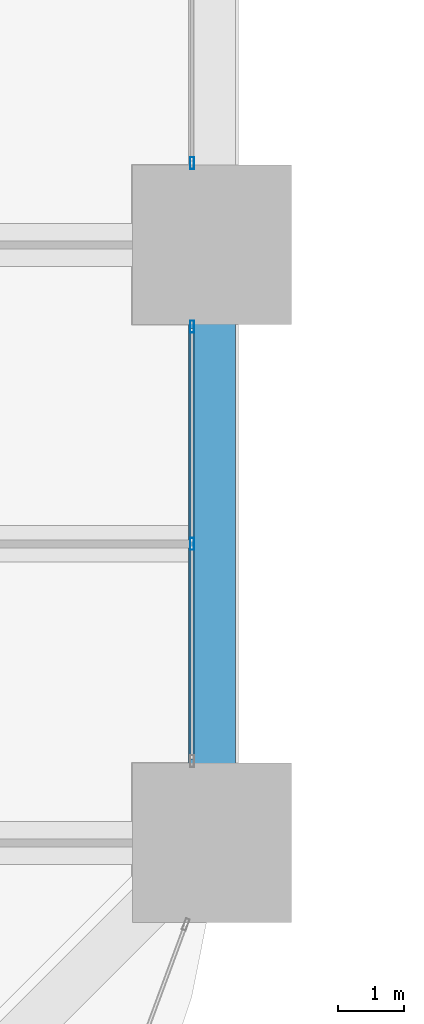
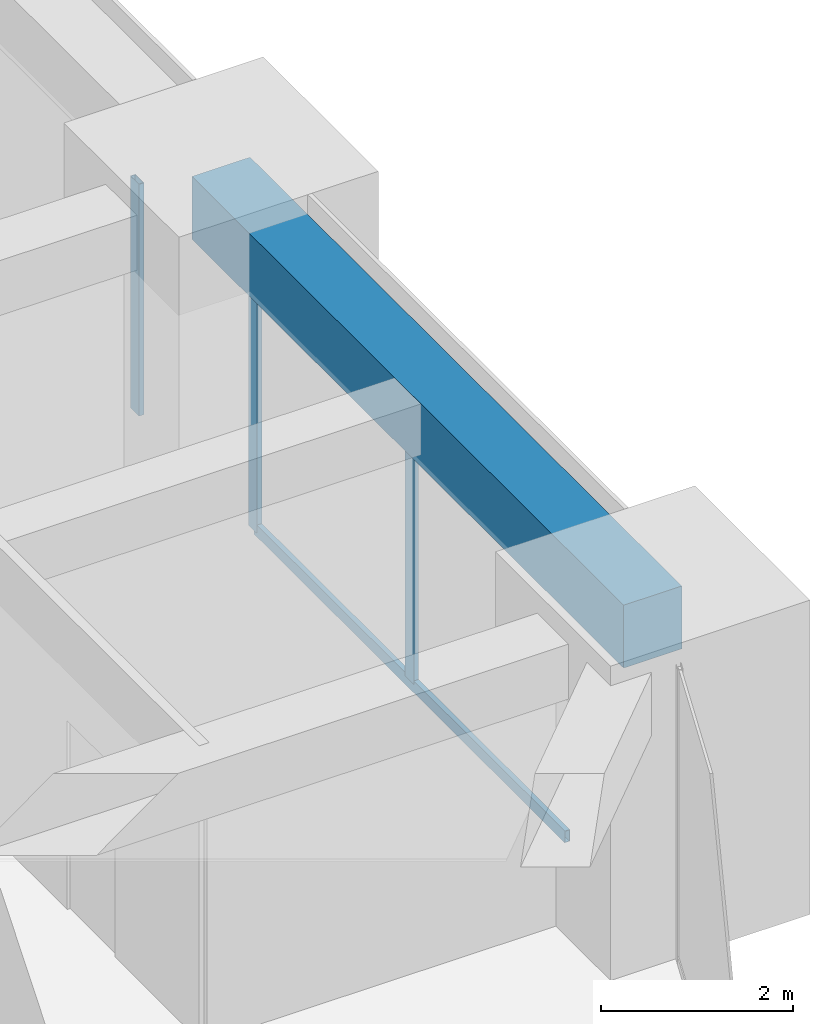
# One storey, part 27 of 39: 4 members, 1 beam, 2 elements without a shape of their own.
"""IFC4 building model written with IfcOpenShell, lengths in metres."""

from ifc_helpers import new_model, si_unit, direction, frame, origin, origin_2d, place, context, subcontext, project, spatial, rectangle, hollow_rectangle, extrude, material, material_profile, profile_set, type_object, element, aggregate, save


model = new_model("IFC4")

# Units and contexts
model_context = context("Model", 3, precision=1e-05, world=origin(), true_north=direction((0.0, 1.0)))
body_context = subcontext(model_context, "Body", "Model", "MODEL_VIEW")
ifc_project = project(units=[si_unit("LENGTHUNIT", "METRE"), si_unit("AREAUNIT", "SQUARE_METRE"), si_unit("VOLUMEUNIT", "CUBIC_METRE"), si_unit("PLANEANGLEUNIT", "RADIAN"), si_unit("MASSUNIT", "GRAM", prefix="KILO")], contexts=[model_context])

# Site, building, storey
site_placement = place(None, origin())
site = spatial("IfcSite", under=ifc_project, at=site_placement, CompositionType="ELEMENT")
building_placement = place(site_placement, origin())
building = spatial("IfcBuilding", under=site, at=building_placement, Name="Zorevar Civic Tower", CompositionType="ELEMENT")
storey_placement = place(building_placement, frame((0.0, 0.0, 19.800048828125)))
storey = spatial("IfcBuildingStorey", under=building, at=storey_placement, Name="L04", CompositionType="ELEMENT", Elevation=19.800048828125)

# Curtain wall, members
ifc_material_1 = material(Name="Dark grey solar-control glass in black aluminium frame", Category="aluminium")
curtain_wall_type = type_object("IfcCurtainWallType", Name="Curtain wall CW2 low zone", PredefinedType="NOTDEFINED", material=ifc_material_1)
curtain_wall_1_placement = place(storey_placement, origin())
curtain_wall_1 = element("IfcCurtainWall", 1, at=curtain_wall_1_placement, inside=storey, type_object=curtain_wall_type, Name="CW2 L04", PredefinedType="NOTDEFINED")
ifc_material_2 = material(Name="Aluminium, black anodised", Category="aluminium")
ifc_material_profile_1 = material_profile(ifc_material_2, hollow_rectangle(XDim=0.06005859375, YDim=0.179931640625, WallThickness=0.00390625, at=origin_2d()), Name="AL 180x60x4")
ifc_profile_set_1 = profile_set([ifc_material_profile_1], Name="Aluminium, black anodised")
member_type_1 = type_object("IfcMemberType", Name="CW2 mullion AL 180x60x4", PredefinedType="MULLION", material=ifc_profile_set_1)
member_1_placement = place(storey_placement, frame((62.699951171875, 13.5, 0.06005859375), z_axis=(0.0, 0.0, 1.0), x_axis=(-1.0, 0.0, 0.0)))
member_1 = element("IfcMember", 2, at=member_1_placement, type_object=member_type_1, Name="CW2 mullion 2", PredefinedType="MULLION", context=body_context, shape_type="SweptSolid", body=[
    extrude(hollow_rectangle(XDim=0.06005859375, YDim=0.179931640625, WallThickness=0.00390625, at=origin_2d()), origin(), (0.0, 0.0, 1.0), 2.889892578125),
])
member_2_placement = place(storey_placement, frame((62.699951171875, 16.77001953125, 0.0), z_axis=(0.0, 0.0, 1.0), x_axis=(-1.0, 0.0, 0.0)))
member_2 = element("IfcMember", 3, at=member_2_placement, type_object=member_type_1, Name="CW2 mullion 3", PredefinedType="MULLION", context=body_context, shape_type="SweptSolid", body=[
    extrude(hollow_rectangle(XDim=0.06005859375, YDim=0.179931640625, WallThickness=0.00390625, at=origin_2d()), origin(), (0.0, 0.0, 1.0), 2.949951171875),
])

# Curtain wall, member
curtain_wall_2_placement = place(storey_placement, origin())
curtain_wall_2 = element("IfcCurtainWall", 4, at=curtain_wall_2_placement, inside=storey, type_object=curtain_wall_type, Name="CW2 L04", PredefinedType="NOTDEFINED")
member_3_placement = place(storey_placement, frame((62.699951171875, 19.22998046875, 0.0), z_axis=(0.0, 0.0, 1.0), x_axis=(-1.0, 0.0, 0.0)))
member_3 = element("IfcMember", 5, at=member_3_placement, type_object=member_type_1, Name="CW2 mullion 1", PredefinedType="MULLION", context=body_context, shape_type="SweptSolid", body=[
    extrude(hollow_rectangle(XDim=0.06005859375, YDim=0.179931640625, WallThickness=0.00390625, at=origin_2d()), origin(), (0.0, 0.0, 1.0), 2.949951171875),
])
aggregate(curtain_wall_2, [member_3])

# Member
ifc_material_3 = material(Name="Aluminium, black anodised", Category="aluminium")
ifc_material_profile_2 = material_profile(ifc_material_3, hollow_rectangle(XDim=0.06005859375, YDim=0.14990234375, WallThickness=0.00390625, at=origin_2d()), Name="AL 150x60x4")
ifc_profile_set_2 = profile_set([ifc_material_profile_2], Name="Aluminium, black anodised")
member_type_2 = type_object("IfcMemberType", Name="CW2 transom AL 150x60x4", PredefinedType="USERDEFINED", material=ifc_profile_set_2)
member_4_placement = place(storey_placement, frame((62.699951171875, 10.260009765625, 0.030029296875), z_axis=(0.0, 1.0, 0.0), x_axis=(-1.0, 0.0, 0.0)))
member_4 = element("IfcMember", 6, at=member_4_placement, type_object=member_type_2, Name="CW2 sill transom", ObjectType="TRANSOM", PredefinedType="USERDEFINED", context=body_context, shape_type="SweptSolid", body=[
    extrude(hollow_rectangle(XDim=0.06005859375, YDim=0.14990234375, WallThickness=0.00390625, at=origin_2d()), origin(), (0.0, 0.0, 1.0), 6.47998046875),
])

aggregate(curtain_wall_1, [member_1, member_2, member_4])

# Beam
ifc_material_4 = material(Name="Concrete C50/60", Category="concrete")
ifc_material_profile_3 = material_profile(ifc_material_4, rectangle(XDim=0.699951171875, YDim=0.800048828125, at=origin_2d()), Name="RC 700x800")
ifc_profile_set_3 = profile_set([ifc_material_profile_3], Name="Concrete C50/60")
beam_type = type_object("IfcBeamType", Name="Edge beam RC 700x800", PredefinedType="SPANDREL", material=ifc_profile_set_3)
beam_placement = place(storey_placement, frame((63.0, 9.0, 3.349853515625), z_axis=(0.0, 1.0, 0.0), x_axis=(-1.0, 0.0, 0.0)))
element("IfcBeam", 7, at=beam_placement, inside=storey, type_object=beam_type, Name="Edge beam L05", PredefinedType="SPANDREL", context=body_context, shape_type="SweptSolid", body=[
    extrude(rectangle(XDim=0.699951171875, YDim=0.800048828125, at=origin_2d()), origin(), (0.0, 0.0, 1.0), 9.0),
])

save(model, "model.ifc")
